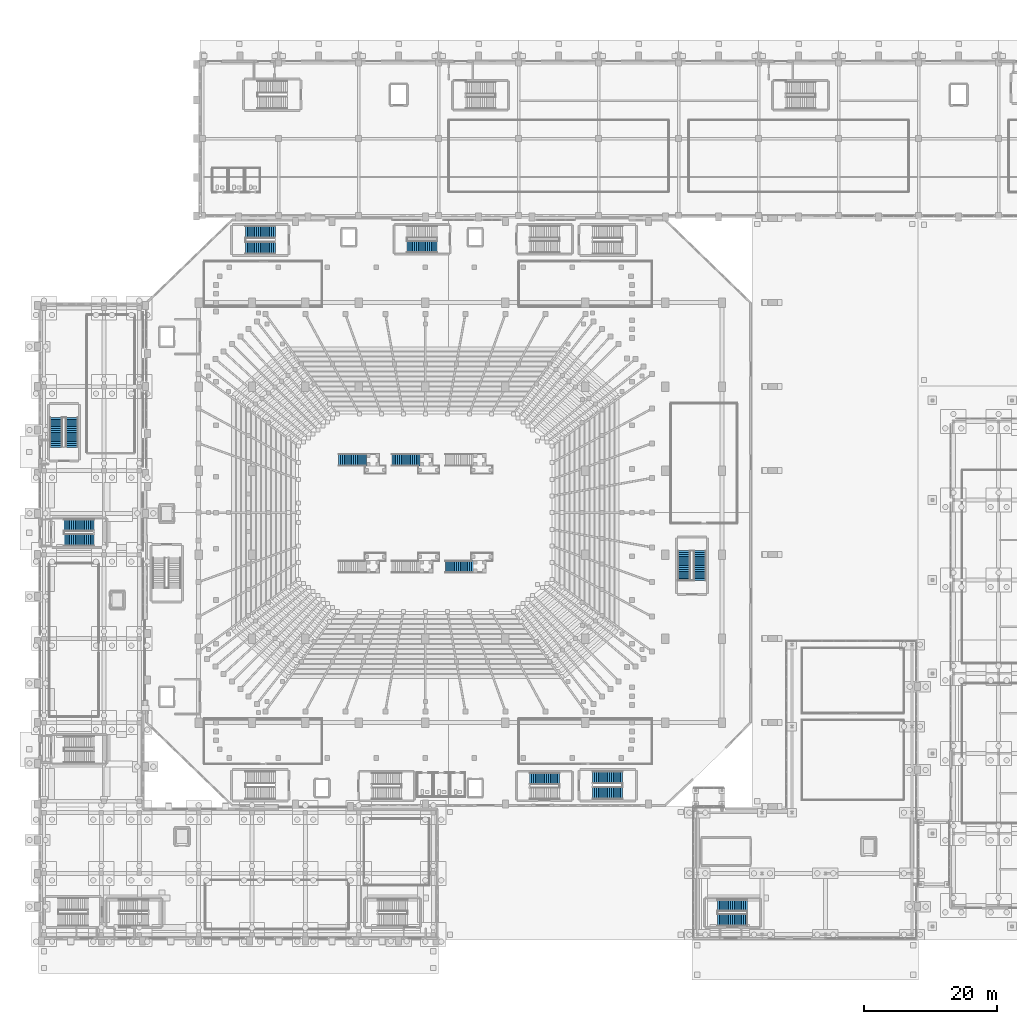
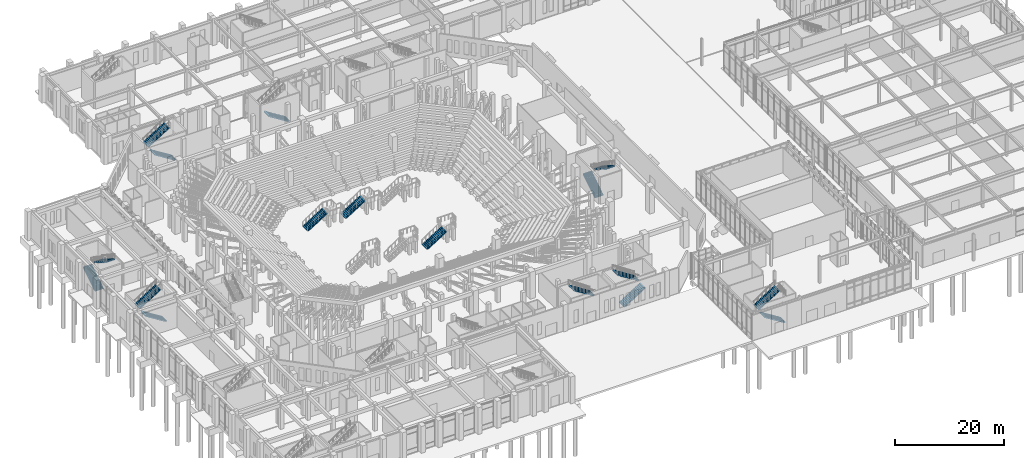
# One storey, part 123 of 143: 17 stair flights, 11 elements without a shape of their own.
"""IFC4 building model written with IfcOpenShell, lengths in metres."""

from ifc_helpers import new_model, si_unit, derived_unit, direction, frame, origin, place, context, subcontext, project, spatial, polyline, outline, extrude, material, type_object, element, aggregate, save


model = new_model("IFC4")

# Units and contexts
model_context = context("Model", 3, precision=1e-05, world=origin(), true_north=direction((0.0, 1.0)))
body_context = subcontext(model_context, "Body", "Model", "MODEL_VIEW")
ifc_project = project(units=[si_unit("LENGTHUNIT", "METRE"), si_unit("AREAUNIT", "SQUARE_METRE"), si_unit("VOLUMEUNIT", "CUBIC_METRE"), si_unit("PLANEANGLEUNIT", "RADIAN"), si_unit("MASSUNIT", "GRAM", prefix="KILO"), derived_unit("THERMALTRANSMITTANCEUNIT", [(si_unit("MASSUNIT", "GRAM", prefix="KILO"), 1), (si_unit("TIMEUNIT", "SECOND"), -3), (si_unit("THERMODYNAMICTEMPERATUREUNIT", "KELVIN"), -1)])], contexts=[model_context])

# Site, building, storey
site_placement = place(None, origin())
site = spatial("IfcSite", under=ifc_project, at=site_placement, CompositionType="ELEMENT")
building_placement = place(site_placement, origin())
building = spatial("IfcBuilding", under=site, at=building_placement, Name="Valcora Ridge Arena", CompositionType="ELEMENT")
storey_placement = place(building_placement, origin())
storey = spatial("IfcBuildingStorey", under=building, at=storey_placement, Name="L00", CompositionType="ELEMENT", Elevation=0.0)

# Stair, stair flight
ifc_material = material(Name="Concrete C40/50", Category="concrete")
stair_type_1 = type_object("IfcStairType", Name="TY-STAIR-ES02-60", PredefinedType="HALF_TURN_STAIR", material=ifc_material)
stair_1_placement = place(storey_placement, origin())
stair_1 = element("IfcStair", 1, at=stair_1_placement, inside=storey, type_object=stair_type_1, Name="ES02-60 STR-ES-0005", PredefinedType="HALF_TURN_STAIR")
stair_flight_type_1 = type_object("IfcStairFlightType", Name="TY-FLIGHT-ES02-60", PredefinedType="STRAIGHT", material=ifc_material)
stair_flight_1_placement = place(storey_placement, frame((78.139892578125, 24.219970703125, 3.0), z_axis=(0.0, 0.0, 1.0), x_axis=(-1.0, 0.0, 0.0)))
stair_flight_1 = element("IfcStairFlight", 2, at=stair_flight_1_placement, type_object=stair_flight_type_1, Name="ES02-60 flight 2", NumberOfRisers=17, NumberOfTreads=16, PredefinedType="STRAIGHT", RiserHeight=0.176471, TreadLength=0.28, context=body_context, shape_type="SweptSolid", body=[
    extrude(outline(polyline([(0.0, 0.0), (0.0, 0.176513671875), (0.280029296875, 0.176513671875), (0.280029296875, 0.35302734375), (0.56005859375, 0.35302734375), (0.56005859375, 0.529296875), (0.840087890625, 0.529296875), (0.840087890625, 0.705810546875), (1.1201171875, 0.705810546875), (1.1201171875, 0.88232421875), (1.39990234375, 0.88232421875), (1.39990234375, 1.058837890625), (1.679931640625, 1.058837890625), (1.679931640625, 1.2353515625), (1.9599609375, 1.2353515625), (1.9599609375, 1.411865234375), (2.239990234375, 1.411865234375), (2.239990234375, 1.588134765625), (2.52001953125, 1.588134765625), (2.52001953125, 1.7646484375), (2.800048828125, 1.7646484375), (2.800048828125, 1.941162109375), (3.080078125, 1.941162109375), (3.080078125, 2.11767578125), (3.360107421875, 2.11767578125), (3.360107421875, 2.294189453125), (3.639892578125, 2.294189453125), (3.639892578125, 2.470703125), (3.919921875, 2.470703125), (3.919921875, 2.64697265625), (4.199951171875, 2.64697265625), (4.199951171875, 2.823486328125), (4.47998046875, 2.823486328125), (4.47998046875, 3.0), (4.47998046875, 2.61083984375), (0.33740234375, 0.0), (0.0, 0.0)])), frame((0.0, 0.89990234375, 0.0), z_axis=(0.0, -1.0, 0.0), x_axis=(1.0, 0.0, 0.0)), (0.0, 0.0, 1.0), 1.800048828125),
])
aggregate(stair_1, [stair_flight_1])

stair_type_2 = type_object("IfcStairType", Name="TY-STAIR-ES03-60", PredefinedType="HALF_TURN_STAIR", material=ifc_material)
stair_2_placement = place(storey_placement, origin())
stair_2 = element("IfcStair", 3, at=stair_2_placement, inside=storey, type_object=stair_type_2, Name="ES03-60 STR-ES-0009", PredefinedType="HALF_TURN_STAIR")
stair_flight_type_2 = type_object("IfcStairFlightType", Name="TY-FLIGHT-ES03-60", PredefinedType="STRAIGHT", material=ifc_material)
stair_flight_2_placement = place(storey_placement, frame((59.739990234375, 103.97998046875, 0.0), z_axis=(0.0, 0.0, 1.0), x_axis=(-1.0, 0.0, 0.0)))
stair_flight_2 = element("IfcStairFlight", 4, at=stair_flight_2_placement, type_object=stair_flight_type_2, Name="ES03-60 flight 1", NumberOfRisers=17, NumberOfTreads=16, PredefinedType="STRAIGHT", RiserHeight=0.176471, TreadLength=0.28, context=body_context, shape_type="SweptSolid", body=[
    extrude(outline(polyline([(0.0, 0.0), (0.0, 0.176513671875), (0.280029296875, 0.176513671875), (0.280029296875, 0.35302734375), (0.56005859375, 0.35302734375), (0.56005859375, 0.529296875), (0.840087890625, 0.529296875), (0.840087890625, 0.705810546875), (1.1201171875, 0.705810546875), (1.1201171875, 0.88232421875), (1.39990234375, 0.88232421875), (1.39990234375, 1.058837890625), (1.679931640625, 1.058837890625), (1.679931640625, 1.2353515625), (1.9599609375, 1.2353515625), (1.9599609375, 1.411865234375), (2.239990234375, 1.411865234375), (2.239990234375, 1.588134765625), (2.52001953125, 1.588134765625), (2.52001953125, 1.7646484375), (2.800048828125, 1.7646484375), (2.800048828125, 1.941162109375), (3.080078125, 1.941162109375), (3.080078125, 2.11767578125), (3.360107421875, 2.11767578125), (3.360107421875, 2.294189453125), (3.639892578125, 2.294189453125), (3.639892578125, 2.470703125), (3.919921875, 2.470703125), (3.919921875, 2.64697265625), (4.199951171875, 2.64697265625), (4.199951171875, 2.823486328125), (4.47998046875, 2.823486328125), (4.47998046875, 3.0), (4.47998046875, 2.61083984375), (0.33740234375, 0.0), (0.0, 0.0)])), frame((0.0, 0.89990234375, 0.0), z_axis=(0.0, -1.0, 0.0), x_axis=(1.0, 0.0, 0.0)), (0.0, 0.0, 1.0), 1.800048828125),
])
aggregate(stair_2, [stair_flight_2])

# Stair, stair flights
stair_type_3 = type_object("IfcStairType", Name="TY-STAIR-ES08-60", PredefinedType="HALF_TURN_STAIR", material=ifc_material)
stair_3_placement = place(storey_placement, origin())
stair_3 = element("IfcStair", 5, at=stair_3_placement, inside=storey, type_object=stair_type_3, Name="ES08-60 STR-ES-0027", PredefinedType="HALF_TURN_STAIR")
stair_flight_type_3 = type_object("IfcStairFlightType", Name="TY-FLIGHT-ES08-60", PredefinedType="STRAIGHT", material=ifc_material)
stair_flight_3_placement = place(storey_placement, frame((8.300048828125, 59.97998046875, 0.0), z_axis=(0.0, 0.0, 1.0), x_axis=(-1.0, 0.0, 0.0)))
stair_flight_3 = element("IfcStairFlight", 6, at=stair_flight_3_placement, type_object=stair_flight_type_3, Name="ES08-60 flight 1", NumberOfRisers=17, NumberOfTreads=16, PredefinedType="STRAIGHT", RiserHeight=0.176471, TreadLength=0.28, context=body_context, shape_type="SweptSolid", body=[
    extrude(outline(polyline([(0.0, 0.0), (0.0, 0.176513671875), (0.280029296875, 0.176513671875), (0.280029296875, 0.35302734375), (0.56005859375, 0.35302734375), (0.56005859375, 0.529296875), (0.840087890625, 0.529296875), (0.840087890625, 0.705810546875), (1.1201171875, 0.705810546875), (1.1201171875, 0.88232421875), (1.39990234375, 0.88232421875), (1.39990234375, 1.058837890625), (1.679931640625, 1.058837890625), (1.679931640625, 1.2353515625), (1.9599609375, 1.2353515625), (1.9599609375, 1.411865234375), (2.239990234375, 1.411865234375), (2.239990234375, 1.588134765625), (2.52001953125, 1.588134765625), (2.52001953125, 1.7646484375), (2.800048828125, 1.7646484375), (2.800048828125, 1.941162109375), (3.080078125, 1.941162109375), (3.080078125, 2.11767578125), (3.360107421875, 2.11767578125), (3.360107421875, 2.294189453125), (3.639892578125, 2.294189453125), (3.639892578125, 2.470703125), (3.919921875, 2.470703125), (3.919921875, 2.64697265625), (4.199951171875, 2.64697265625), (4.199951171875, 2.823486328125), (4.47998046875, 2.823486328125), (4.47998046875, 3.0), (4.47998046875, 2.61083984375), (0.33740234375, 0.0), (0.0, 0.0)])), frame((0.0, 0.89990234375, 0.0), z_axis=(0.0, -1.0, 0.0), x_axis=(1.0, 0.0, 0.0)), (0.0, 0.0, 1.0), 1.800048828125),
])
stair_flight_4_placement = place(storey_placement, frame((3.820068359375, 62.219970703125, 3.0), z_axis=(0.0, 0.0, 1.0), x_axis=(1.0, 0.0, 0.0)))
stair_flight_4 = element("IfcStairFlight", 7, at=stair_flight_4_placement, type_object=stair_flight_type_3, Name="ES08-60 flight 2", NumberOfRisers=17, NumberOfTreads=16, PredefinedType="STRAIGHT", RiserHeight=0.176471, TreadLength=0.28, context=body_context, shape_type="SweptSolid", body=[
    extrude(outline(polyline([(0.0, 0.0), (0.0, 0.176513671875), (0.280029296875, 0.176513671875), (0.280029296875, 0.35302734375), (0.56005859375, 0.35302734375), (0.56005859375, 0.529296875), (0.840087890625, 0.529296875), (0.840087890625, 0.705810546875), (1.1201171875, 0.705810546875), (1.1201171875, 0.88232421875), (1.39990234375, 0.88232421875), (1.39990234375, 1.058837890625), (1.679931640625, 1.058837890625), (1.679931640625, 1.2353515625), (1.9599609375, 1.2353515625), (1.9599609375, 1.411865234375), (2.239990234375, 1.411865234375), (2.239990234375, 1.588134765625), (2.52001953125, 1.588134765625), (2.52001953125, 1.7646484375), (2.800048828125, 1.7646484375), (2.800048828125, 1.941162109375), (3.080078125, 1.941162109375), (3.080078125, 2.11767578125), (3.360107421875, 2.11767578125), (3.360107421875, 2.294189453125), (3.639892578125, 2.294189453125), (3.639892578125, 2.470703125), (3.919921875, 2.470703125), (3.919921875, 2.64697265625), (4.199951171875, 2.64697265625), (4.199951171875, 2.823486328125), (4.47998046875, 2.823486328125), (4.47998046875, 3.0), (4.47998046875, 2.61083984375), (0.33740234375, 0.0), (0.0, 0.0)])), frame((0.0, 0.89990234375, 0.0), z_axis=(0.0, -1.0, 0.0), x_axis=(1.0, 0.0, 0.0)), (0.0, 0.0, 1.0), 1.800048828125),
])
aggregate(stair_3, [stair_flight_3, stair_flight_4])

stair_type_4 = type_object("IfcStairType", Name="TY-STAIR-ES11-60", PredefinedType="HALF_TURN_STAIR", material=ifc_material)
stair_4_placement = place(storey_placement, origin())
stair_4 = element("IfcStair", 8, at=stair_4_placement, inside=storey, type_object=stair_type_4, Name="ES11-60 STR-ES-0036", PredefinedType="HALF_TURN_STAIR")
stair_flight_type_4 = type_object("IfcStairFlightType", Name="TY-FLIGHT-ES11-60", PredefinedType="STRAIGHT", material=ifc_material)
stair_flight_5_placement = place(storey_placement, frame((106.300048828125, 2.97998046875, 0.0), z_axis=(0.0, 0.0, 1.0), x_axis=(-1.0, 0.0, 0.0)))
stair_flight_5 = element("IfcStairFlight", 9, at=stair_flight_5_placement, type_object=stair_flight_type_4, Name="ES11-60 flight 1", NumberOfRisers=17, NumberOfTreads=16, PredefinedType="STRAIGHT", RiserHeight=0.176471, TreadLength=0.28, context=body_context, shape_type="SweptSolid", body=[
    extrude(outline(polyline([(0.0, 0.0), (0.0, 0.176513671875), (0.280029296875, 0.176513671875), (0.280029296875, 0.35302734375), (0.56005859375, 0.35302734375), (0.56005859375, 0.529296875), (0.840087890625, 0.529296875), (0.840087890625, 0.705810546875), (1.1201171875, 0.705810546875), (1.1201171875, 0.88232421875), (1.39990234375, 0.88232421875), (1.39990234375, 1.058837890625), (1.679931640625, 1.058837890625), (1.679931640625, 1.2353515625), (1.9599609375, 1.2353515625), (1.9599609375, 1.411865234375), (2.239990234375, 1.411865234375), (2.239990234375, 1.588134765625), (2.52001953125, 1.588134765625), (2.52001953125, 1.7646484375), (2.800048828125, 1.7646484375), (2.800048828125, 1.941162109375), (3.080078125, 1.941162109375), (3.080078125, 2.11767578125), (3.360107421875, 2.11767578125), (3.360107421875, 2.294189453125), (3.639892578125, 2.294189453125), (3.639892578125, 2.470703125), (3.919921875, 2.470703125), (3.919921875, 2.64697265625), (4.199951171875, 2.64697265625), (4.199951171875, 2.823486328125), (4.47998046875, 2.823486328125), (4.47998046875, 3.0), (4.47998046875, 2.61083984375), (0.33740234375, 0.0), (0.0, 0.0)])), frame((0.0, 0.89990234375, 0.0), z_axis=(0.0, -1.0, 0.0), x_axis=(1.0, 0.0, 0.0)), (0.0, 0.0, 1.0), 1.800048828125),
])
stair_flight_6_placement = place(storey_placement, frame((101.820068359375, 5.219970703125, 3.0), z_axis=(0.0, 0.0, 1.0), x_axis=(1.0, 0.0, 0.0)))
stair_flight_6 = element("IfcStairFlight", 10, at=stair_flight_6_placement, type_object=stair_flight_type_4, Name="ES11-60 flight 2", NumberOfRisers=17, NumberOfTreads=16, PredefinedType="STRAIGHT", RiserHeight=0.176471, TreadLength=0.28, context=body_context, shape_type="SweptSolid", body=[
    extrude(outline(polyline([(0.0, 0.0), (0.0, 0.176513671875), (0.280029296875, 0.176513671875), (0.280029296875, 0.35302734375), (0.56005859375, 0.35302734375), (0.56005859375, 0.529296875), (0.840087890625, 0.529296875), (0.840087890625, 0.705810546875), (1.1201171875, 0.705810546875), (1.1201171875, 0.88232421875), (1.39990234375, 0.88232421875), (1.39990234375, 1.058837890625), (1.679931640625, 1.058837890625), (1.679931640625, 1.2353515625), (1.9599609375, 1.2353515625), (1.9599609375, 1.411865234375), (2.239990234375, 1.411865234375), (2.239990234375, 1.588134765625), (2.52001953125, 1.588134765625), (2.52001953125, 1.7646484375), (2.800048828125, 1.7646484375), (2.800048828125, 1.941162109375), (3.080078125, 1.941162109375), (3.080078125, 2.11767578125), (3.360107421875, 2.11767578125), (3.360107421875, 2.294189453125), (3.639892578125, 2.294189453125), (3.639892578125, 2.470703125), (3.919921875, 2.470703125), (3.919921875, 2.64697265625), (4.199951171875, 2.64697265625), (4.199951171875, 2.823486328125), (4.47998046875, 2.823486328125), (4.47998046875, 3.0), (4.47998046875, 2.61083984375), (0.33740234375, 0.0), (0.0, 0.0)])), frame((0.0, 0.89990234375, 0.0), z_axis=(0.0, -1.0, 0.0), x_axis=(1.0, 0.0, 0.0)), (0.0, 0.0, 1.0), 1.800048828125),
])
aggregate(stair_4, [stair_flight_5, stair_flight_6])

stair_type_5 = type_object("IfcStairType", Name="TY-STAIR-ST02-60", PredefinedType="HALF_TURN_STAIR", material=ifc_material)
stair_5_placement = place(storey_placement, origin())
stair_5 = element("IfcStair", 11, at=stair_5_placement, inside=storey, type_object=stair_type_5, Name="ST02-60 STR-CR-0008", PredefinedType="HALF_TURN_STAIR")
stair_flight_type_5 = type_object("IfcStairFlightType", Name="TY-FLIGHT-ST02-60", PredefinedType="STRAIGHT", material=ifc_material)
stair_flight_7_placement = place(storey_placement, frame((83.110107421875, 22.0048828125, 0.0), z_axis=(0.0, 0.0, 1.0), x_axis=(1.0, 0.0, 0.0)))
stair_flight_7 = element("IfcStairFlight", 12, at=stair_flight_7_placement, type_object=stair_flight_type_5, Name="ST02-60 flight 1", NumberOfRisers=17, NumberOfTreads=16, PredefinedType="STRAIGHT", RiserHeight=0.176471, TreadLength=0.28, context=body_context, shape_type="SweptSolid", body=[
    extrude(outline(polyline([(0.0, 0.0), (0.0, 0.176513671875), (0.280029296875, 0.176513671875), (0.280029296875, 0.35302734375), (0.56005859375, 0.35302734375), (0.56005859375, 0.529296875), (0.840087890625, 0.529296875), (0.840087890625, 0.705810546875), (1.1201171875, 0.705810546875), (1.1201171875, 0.88232421875), (1.39990234375, 0.88232421875), (1.39990234375, 1.058837890625), (1.679931640625, 1.058837890625), (1.679931640625, 1.2353515625), (1.9599609375, 1.2353515625), (1.9599609375, 1.411865234375), (2.239990234375, 1.411865234375), (2.239990234375, 1.588134765625), (2.52001953125, 1.588134765625), (2.52001953125, 1.7646484375), (2.800048828125, 1.7646484375), (2.800048828125, 1.941162109375), (3.080078125, 1.941162109375), (3.080078125, 2.11767578125), (3.360107421875, 2.11767578125), (3.360107421875, 2.294189453125), (3.639892578125, 2.294189453125), (3.639892578125, 2.470703125), (3.919921875, 2.470703125), (3.919921875, 2.64697265625), (4.199951171875, 2.64697265625), (4.199951171875, 2.823486328125), (4.47998046875, 2.823486328125), (4.47998046875, 3.0), (4.47998046875, 2.61083984375), (0.33740234375, 0.0), (0.0, 0.0)])), frame((0.0, 0.925048828125, 0.0), z_axis=(0.0, -1.0, 0.0), x_axis=(1.0, 0.0, 0.0)), (0.0, 0.0, 1.0), 1.85009765625),
])
stair_flight_8_placement = place(storey_placement, frame((87.590087890625, 24.39501953125, 3.0), z_axis=(0.0, 0.0, 1.0), x_axis=(-1.0, 0.0, 0.0)))
stair_flight_8 = element("IfcStairFlight", 13, at=stair_flight_8_placement, type_object=stair_flight_type_5, Name="ST02-60 flight 2", NumberOfRisers=17, NumberOfTreads=16, PredefinedType="STRAIGHT", RiserHeight=0.176471, TreadLength=0.28, context=body_context, shape_type="SweptSolid", body=[
    extrude(outline(polyline([(0.0, 0.0), (0.0, 0.176513671875), (0.280029296875, 0.176513671875), (0.280029296875, 0.35302734375), (0.56005859375, 0.35302734375), (0.56005859375, 0.529296875), (0.840087890625, 0.529296875), (0.840087890625, 0.705810546875), (1.1201171875, 0.705810546875), (1.1201171875, 0.88232421875), (1.39990234375, 0.88232421875), (1.39990234375, 1.058837890625), (1.679931640625, 1.058837890625), (1.679931640625, 1.2353515625), (1.9599609375, 1.2353515625), (1.9599609375, 1.411865234375), (2.239990234375, 1.411865234375), (2.239990234375, 1.588134765625), (2.52001953125, 1.588134765625), (2.52001953125, 1.7646484375), (2.800048828125, 1.7646484375), (2.800048828125, 1.941162109375), (3.080078125, 1.941162109375), (3.080078125, 2.11767578125), (3.360107421875, 2.11767578125), (3.360107421875, 2.294189453125), (3.639892578125, 2.294189453125), (3.639892578125, 2.470703125), (3.919921875, 2.470703125), (3.919921875, 2.64697265625), (4.199951171875, 2.64697265625), (4.199951171875, 2.823486328125), (4.47998046875, 2.823486328125), (4.47998046875, 3.0), (4.47998046875, 2.61083984375), (0.33740234375, 0.0), (0.0, 0.0)])), frame((0.0, 0.925048828125, 0.0), z_axis=(0.0, -1.0, 0.0), x_axis=(1.0, 0.0, 0.0)), (0.0, 0.0, 1.0), 1.85009765625),
])
aggregate(stair_5, [stair_flight_7, stair_flight_8])

stair_type_6 = type_object("IfcStairType", Name="TY-STAIR-ST03-60", PredefinedType="HALF_TURN_STAIR", material=ifc_material)
stair_6_placement = place(storey_placement, origin())
stair_6 = element("IfcStair", 14, at=stair_6_placement, inside=storey, type_object=stair_type_6, Name="ST03-60 STR-CR-0013", PredefinedType="HALF_TURN_STAIR")
stair_flight_type_6 = type_object("IfcStairFlightType", Name="TY-FLIGHT-ST03-60", PredefinedType="STRAIGHT", material=ifc_material)
stair_flight_9_placement = place(storey_placement, frame((35.489990234375, 103.804931640625, 0.0), z_axis=(0.0, 0.0, 1.0), x_axis=(-1.0, 0.0, 0.0)))
stair_flight_9 = element("IfcStairFlight", 15, at=stair_flight_9_placement, type_object=stair_flight_type_6, Name="ST03-60 flight 1", NumberOfRisers=17, NumberOfTreads=16, PredefinedType="STRAIGHT", RiserHeight=0.176471, TreadLength=0.28, context=body_context, shape_type="SweptSolid", body=[
    extrude(outline(polyline([(0.0, 0.0), (0.0, 0.176513671875), (0.280029296875, 0.176513671875), (0.280029296875, 0.35302734375), (0.56005859375, 0.35302734375), (0.56005859375, 0.529296875), (0.840087890625, 0.529296875), (0.840087890625, 0.705810546875), (1.1201171875, 0.705810546875), (1.1201171875, 0.88232421875), (1.39990234375, 0.88232421875), (1.39990234375, 1.058837890625), (1.679931640625, 1.058837890625), (1.679931640625, 1.2353515625), (1.9599609375, 1.2353515625), (1.9599609375, 1.411865234375), (2.239990234375, 1.411865234375), (2.239990234375, 1.588134765625), (2.52001953125, 1.588134765625), (2.52001953125, 1.7646484375), (2.800048828125, 1.7646484375), (2.800048828125, 1.941162109375), (3.080078125, 1.941162109375), (3.080078125, 2.11767578125), (3.360107421875, 2.11767578125), (3.360107421875, 2.294189453125), (3.639892578125, 2.294189453125), (3.639892578125, 2.470703125), (3.919921875, 2.470703125), (3.919921875, 2.64697265625), (4.199951171875, 2.64697265625), (4.199951171875, 2.823486328125), (4.47998046875, 2.823486328125), (4.47998046875, 3.0), (4.47998046875, 2.61083984375), (0.33740234375, 0.0), (0.0, 0.0)])), frame((0.0, 0.925048828125, 0.0), z_axis=(0.0, -1.0, 0.0), x_axis=(1.0, 0.0, 0.0)), (0.0, 0.0, 1.0), 1.85009765625),
])
stair_flight_10_placement = place(storey_placement, frame((31.010009765625, 106.195068359375, 3.0), z_axis=(0.0, 0.0, 1.0), x_axis=(1.0, 0.0, 0.0)))
stair_flight_10 = element("IfcStairFlight", 16, at=stair_flight_10_placement, type_object=stair_flight_type_6, Name="ST03-60 flight 2", NumberOfRisers=17, NumberOfTreads=16, PredefinedType="STRAIGHT", RiserHeight=0.176471, TreadLength=0.28, context=body_context, shape_type="SweptSolid", body=[
    extrude(outline(polyline([(0.0, 0.0), (0.0, 0.176513671875), (0.280029296875, 0.176513671875), (0.280029296875, 0.35302734375), (0.56005859375, 0.35302734375), (0.56005859375, 0.529296875), (0.840087890625, 0.529296875), (0.840087890625, 0.705810546875), (1.1201171875, 0.705810546875), (1.1201171875, 0.88232421875), (1.39990234375, 0.88232421875), (1.39990234375, 1.058837890625), (1.679931640625, 1.058837890625), (1.679931640625, 1.2353515625), (1.9599609375, 1.2353515625), (1.9599609375, 1.411865234375), (2.239990234375, 1.411865234375), (2.239990234375, 1.588134765625), (2.52001953125, 1.588134765625), (2.52001953125, 1.7646484375), (2.800048828125, 1.7646484375), (2.800048828125, 1.941162109375), (3.080078125, 1.941162109375), (3.080078125, 2.11767578125), (3.360107421875, 2.11767578125), (3.360107421875, 2.294189453125), (3.639892578125, 2.294189453125), (3.639892578125, 2.470703125), (3.919921875, 2.470703125), (3.919921875, 2.64697265625), (4.199951171875, 2.64697265625), (4.199951171875, 2.823486328125), (4.47998046875, 2.823486328125), (4.47998046875, 3.0), (4.47998046875, 2.61083984375), (0.33740234375, 0.0), (0.0, 0.0)])), frame((0.0, 0.925048828125, 0.0), z_axis=(0.0, -1.0, 0.0), x_axis=(1.0, 0.0, 0.0)), (0.0, 0.0, 1.0), 1.85009765625),
])
aggregate(stair_6, [stair_flight_9, stair_flight_10])

stair_type_7 = type_object("IfcStairType", Name="TY-STAIR-ST06-60", PredefinedType="HALF_TURN_STAIR", material=ifc_material)
stair_7_placement = place(storey_placement, origin())
stair_7 = element("IfcStair", 17, at=stair_7_placement, inside=storey, type_object=stair_type_7, Name="ST06-60 STR-CR-0030", PredefinedType="HALF_TURN_STAIR")
stair_flight_type_7 = type_object("IfcStairFlightType", Name="TY-FLIGHT-ST06-60", PredefinedType="STRAIGHT", material=ifc_material)
stair_flight_11_placement = place(storey_placement, frame((96.804931640625, 53.909912109375, 0.0), z_axis=(0.0, 0.0, 1.0), x_axis=(0.0, 1.0, 0.0)))
stair_flight_11 = element("IfcStairFlight", 18, at=stair_flight_11_placement, type_object=stair_flight_type_7, Name="ST06-60 flight 1", NumberOfRisers=17, NumberOfTreads=16, PredefinedType="STRAIGHT", RiserHeight=0.176471, TreadLength=0.28, context=body_context, shape_type="SweptSolid", body=[
    extrude(outline(polyline([(0.0, 0.0), (0.0, 0.176513671875), (0.280029296875, 0.176513671875), (0.280029296875, 0.35302734375), (0.56005859375, 0.35302734375), (0.56005859375, 0.529296875), (0.840087890625, 0.529296875), (0.840087890625, 0.705810546875), (1.1201171875, 0.705810546875), (1.1201171875, 0.88232421875), (1.39990234375, 0.88232421875), (1.39990234375, 1.058837890625), (1.679931640625, 1.058837890625), (1.679931640625, 1.2353515625), (1.9599609375, 1.2353515625), (1.9599609375, 1.411865234375), (2.239990234375, 1.411865234375), (2.239990234375, 1.588134765625), (2.52001953125, 1.588134765625), (2.52001953125, 1.7646484375), (2.800048828125, 1.7646484375), (2.800048828125, 1.941162109375), (3.080078125, 1.941162109375), (3.080078125, 2.11767578125), (3.360107421875, 2.11767578125), (3.360107421875, 2.294189453125), (3.639892578125, 2.294189453125), (3.639892578125, 2.470703125), (3.919921875, 2.470703125), (3.919921875, 2.64697265625), (4.199951171875, 2.64697265625), (4.199951171875, 2.823486328125), (4.47998046875, 2.823486328125), (4.47998046875, 3.0), (4.47998046875, 2.61083984375), (0.33740234375, 0.0), (0.0, 0.0)])), frame((0.0, 0.925048828125, 0.0), z_axis=(0.0, -1.0, 0.0), x_axis=(1.0, 0.0, 0.0)), (0.0, 0.0, 1.0), 1.85009765625),
])
stair_flight_12_placement = place(storey_placement, frame((99.195068359375, 58.389892578125, 3.0), z_axis=(0.0, 0.0, 1.0), x_axis=(0.0, -1.0, 0.0)))
stair_flight_12 = element("IfcStairFlight", 19, at=stair_flight_12_placement, type_object=stair_flight_type_7, Name="ST06-60 flight 2", NumberOfRisers=17, NumberOfTreads=16, PredefinedType="STRAIGHT", RiserHeight=0.176471, TreadLength=0.28, context=body_context, shape_type="SweptSolid", body=[
    extrude(outline(polyline([(0.0, 0.0), (0.0, 0.176513671875), (0.280029296875, 0.176513671875), (0.280029296875, 0.35302734375), (0.56005859375, 0.35302734375), (0.56005859375, 0.529296875), (0.840087890625, 0.529296875), (0.840087890625, 0.705810546875), (1.1201171875, 0.705810546875), (1.1201171875, 0.88232421875), (1.39990234375, 0.88232421875), (1.39990234375, 1.058837890625), (1.679931640625, 1.058837890625), (1.679931640625, 1.2353515625), (1.9599609375, 1.2353515625), (1.9599609375, 1.411865234375), (2.239990234375, 1.411865234375), (2.239990234375, 1.588134765625), (2.52001953125, 1.588134765625), (2.52001953125, 1.7646484375), (2.800048828125, 1.7646484375), (2.800048828125, 1.941162109375), (3.080078125, 1.941162109375), (3.080078125, 2.11767578125), (3.360107421875, 2.11767578125), (3.360107421875, 2.294189453125), (3.639892578125, 2.294189453125), (3.639892578125, 2.470703125), (3.919921875, 2.470703125), (3.919921875, 2.64697265625), (4.199951171875, 2.64697265625), (4.199951171875, 2.823486328125), (4.47998046875, 2.823486328125), (4.47998046875, 3.0), (4.47998046875, 2.61083984375), (0.33740234375, 0.0), (0.0, 0.0)])), frame((0.0, 0.925048828125, 0.0), z_axis=(0.0, -1.0, 0.0), x_axis=(1.0, 0.0, 0.0)), (0.0, 0.0, 1.0), 1.85009765625),
])
aggregate(stair_7, [stair_flight_11, stair_flight_12])

stair_type_8 = type_object("IfcStairType", Name="TY-STAIR-ST08-60", PredefinedType="HALF_TURN_STAIR", material=ifc_material)
stair_8_placement = place(storey_placement, origin())
stair_8 = element("IfcStair", 20, at=stair_8_placement, inside=storey, type_object=stair_type_8, Name="ST08-60 STR-CR-0035", PredefinedType="HALF_TURN_STAIR")
stair_flight_type_8 = type_object("IfcStairFlightType", Name="TY-FLIGHT-ST08-60", PredefinedType="STRAIGHT", material=ifc_material)
stair_flight_13_placement = place(storey_placement, frame((2.60498046875, 73.909912109375, 0.0), z_axis=(0.0, 0.0, 1.0), x_axis=(0.0, 1.0, 0.0)))
stair_flight_13 = element("IfcStairFlight", 21, at=stair_flight_13_placement, type_object=stair_flight_type_8, Name="ST08-60 flight 1", NumberOfRisers=17, NumberOfTreads=16, PredefinedType="STRAIGHT", RiserHeight=0.176471, TreadLength=0.28, context=body_context, shape_type="SweptSolid", body=[
    extrude(outline(polyline([(0.0, 0.0), (0.0, 0.176513671875), (0.280029296875, 0.176513671875), (0.280029296875, 0.35302734375), (0.56005859375, 0.35302734375), (0.56005859375, 0.529296875), (0.840087890625, 0.529296875), (0.840087890625, 0.705810546875), (1.1201171875, 0.705810546875), (1.1201171875, 0.88232421875), (1.39990234375, 0.88232421875), (1.39990234375, 1.058837890625), (1.679931640625, 1.058837890625), (1.679931640625, 1.2353515625), (1.9599609375, 1.2353515625), (1.9599609375, 1.411865234375), (2.239990234375, 1.411865234375), (2.239990234375, 1.588134765625), (2.52001953125, 1.588134765625), (2.52001953125, 1.7646484375), (2.800048828125, 1.7646484375), (2.800048828125, 1.941162109375), (3.080078125, 1.941162109375), (3.080078125, 2.11767578125), (3.360107421875, 2.11767578125), (3.360107421875, 2.294189453125), (3.639892578125, 2.294189453125), (3.639892578125, 2.470703125), (3.919921875, 2.470703125), (3.919921875, 2.64697265625), (4.199951171875, 2.64697265625), (4.199951171875, 2.823486328125), (4.47998046875, 2.823486328125), (4.47998046875, 3.0), (4.47998046875, 2.61083984375), (0.33740234375, 0.0), (0.0, 0.0)])), frame((0.0, 0.925048828125, 0.0), z_axis=(0.0, -1.0, 0.0), x_axis=(1.0, 0.0, 0.0)), (0.0, 0.0, 1.0), 1.85009765625),
])
stair_flight_14_placement = place(storey_placement, frame((4.9951171875, 78.389892578125, 3.0), z_axis=(0.0, 0.0, 1.0), x_axis=(0.0, -1.0, 0.0)))
stair_flight_14 = element("IfcStairFlight", 22, at=stair_flight_14_placement, type_object=stair_flight_type_8, Name="ST08-60 flight 2", NumberOfRisers=17, NumberOfTreads=16, PredefinedType="STRAIGHT", RiserHeight=0.176471, TreadLength=0.28, context=body_context, shape_type="SweptSolid", body=[
    extrude(outline(polyline([(0.0, 0.0), (0.0, 0.176513671875), (0.280029296875, 0.176513671875), (0.280029296875, 0.35302734375), (0.56005859375, 0.35302734375), (0.56005859375, 0.529296875), (0.840087890625, 0.529296875), (0.840087890625, 0.705810546875), (1.1201171875, 0.705810546875), (1.1201171875, 0.88232421875), (1.39990234375, 0.88232421875), (1.39990234375, 1.058837890625), (1.679931640625, 1.058837890625), (1.679931640625, 1.2353515625), (1.9599609375, 1.2353515625), (1.9599609375, 1.411865234375), (2.239990234375, 1.411865234375), (2.239990234375, 1.588134765625), (2.52001953125, 1.588134765625), (2.52001953125, 1.7646484375), (2.800048828125, 1.7646484375), (2.800048828125, 1.941162109375), (3.080078125, 1.941162109375), (3.080078125, 2.11767578125), (3.360107421875, 2.11767578125), (3.360107421875, 2.294189453125), (3.639892578125, 2.294189453125), (3.639892578125, 2.470703125), (3.919921875, 2.470703125), (3.919921875, 2.64697265625), (4.199951171875, 2.64697265625), (4.199951171875, 2.823486328125), (4.47998046875, 2.823486328125), (4.47998046875, 3.0), (4.47998046875, 2.61083984375), (0.33740234375, 0.0), (0.0, 0.0)])), frame((0.0, 0.925048828125, 0.0), z_axis=(0.0, -1.0, 0.0), x_axis=(1.0, 0.0, 0.0)), (0.0, 0.0, 1.0), 1.85009765625),
])
aggregate(stair_8, [stair_flight_13, stair_flight_14])

# Stair, stair flight
stair_type_9 = type_object("IfcStairType", Name="TY-STAIR-VS-LOW-280", PredefinedType="STRAIGHT_RUN_STAIR", material=ifc_material)
stair_9_placement = place(storey_placement, origin())
stair_9 = element("IfcStair", 23, at=stair_9_placement, inside=storey, type_object=stair_type_9, Name="Vomitory Stair VS-ST3 (VS-LOW-280)", PredefinedType="STRAIGHT_RUN_STAIR")
stair_flight_type_9 = type_object("IfcStairFlightType", Name="TY-FLIGHT-VS-LOW", PredefinedType="STRAIGHT", material=ifc_material)
stair_flight_15_placement = place(storey_placement, frame((61.0, 56.0, 0.0), z_axis=(0.0, 0.0, 1.0), x_axis=(1.0, 0.0, 0.0)))
stair_flight_15 = element("IfcStairFlight", 24, at=stair_flight_15_placement, type_object=stair_flight_type_9, Name="Vomitory Stair Flight VS-ST3 (FL-VS-LOW)", NumberOfRisers=16, NumberOfTreads=15, PredefinedType="STRAIGHT", RiserHeight=0.175, TreadLength=0.28, context=body_context, shape_type="SweptSolid", body=[
    extrude(outline(polyline([(0.0, 0.0), (0.0, 0.175048828125), (0.280029296875, 0.175048828125), (0.280029296875, 0.35009765625), (0.56005859375, 0.35009765625), (0.56005859375, 0.52490234375), (0.840087890625, 0.52490234375), (0.840087890625, 0.699951171875), (1.1201171875, 0.699951171875), (1.1201171875, 0.875), (1.39990234375, 0.875), (1.39990234375, 1.050048828125), (1.679931640625, 1.050048828125), (1.679931640625, 1.22509765625), (1.9599609375, 1.22509765625), (1.9599609375, 1.39990234375), (2.239990234375, 1.39990234375), (2.239990234375, 1.574951171875), (2.52001953125, 1.574951171875), (2.52001953125, 1.75), (2.800048828125, 1.75), (2.800048828125, 1.925048828125), (3.080078125, 1.925048828125), (3.080078125, 2.10009765625), (3.360107421875, 2.10009765625), (3.360107421875, 2.27490234375), (3.639892578125, 2.27490234375), (3.639892578125, 2.449951171875), (3.919921875, 2.449951171875), (3.919921875, 2.625), (4.199951171875, 2.625), (4.199951171875, 2.800048828125), (4.199951171875, 2.412841796875), (0.339599609375, 0.0), (0.0, 0.0)])), frame((0.0, 0.89990234375, 0.0), z_axis=(0.0, -1.0, 0.0), x_axis=(1.0, 0.0, 0.0)), (0.0, 0.0, 1.0), 1.800048828125),
])
aggregate(stair_9, [stair_flight_15])

stair_10_placement = place(storey_placement, origin())
stair_10 = element("IfcStair", 25, at=stair_10_placement, inside=storey, type_object=stair_type_9, Name="Vomitory Stair VS-ST4 (VS-LOW-280)", PredefinedType="STRAIGHT_RUN_STAIR")
stair_flight_16_placement = place(storey_placement, frame((45.0, 72.0, 0.0), z_axis=(0.0, 0.0, 1.0), x_axis=(1.0, 0.0, 0.0)))
stair_flight_16 = element("IfcStairFlight", 26, at=stair_flight_16_placement, type_object=stair_flight_type_9, Name="Vomitory Stair Flight VS-ST4 (FL-VS-LOW)", NumberOfRisers=16, NumberOfTreads=15, PredefinedType="STRAIGHT", RiserHeight=0.175, TreadLength=0.28, context=body_context, shape_type="SweptSolid", body=[
    extrude(outline(polyline([(0.0, 0.0), (0.0, 0.175048828125), (0.280029296875, 0.175048828125), (0.280029296875, 0.35009765625), (0.56005859375, 0.35009765625), (0.56005859375, 0.52490234375), (0.840087890625, 0.52490234375), (0.840087890625, 0.699951171875), (1.1201171875, 0.699951171875), (1.1201171875, 0.875), (1.39990234375, 0.875), (1.39990234375, 1.050048828125), (1.679931640625, 1.050048828125), (1.679931640625, 1.22509765625), (1.9599609375, 1.22509765625), (1.9599609375, 1.39990234375), (2.239990234375, 1.39990234375), (2.239990234375, 1.574951171875), (2.52001953125, 1.574951171875), (2.52001953125, 1.75), (2.800048828125, 1.75), (2.800048828125, 1.925048828125), (3.080078125, 1.925048828125), (3.080078125, 2.10009765625), (3.360107421875, 2.10009765625), (3.360107421875, 2.27490234375), (3.639892578125, 2.27490234375), (3.639892578125, 2.449951171875), (3.919921875, 2.449951171875), (3.919921875, 2.625), (4.199951171875, 2.625), (4.199951171875, 2.800048828125), (4.199951171875, 2.412841796875), (0.339599609375, 0.0), (0.0, 0.0)])), frame((0.0, 0.89990234375, 0.0), z_axis=(0.0, -1.0, 0.0), x_axis=(1.0, 0.0, 0.0)), (0.0, 0.0, 1.0), 1.800048828125),
])
aggregate(stair_10, [stair_flight_16])

stair_11_placement = place(storey_placement, origin())
stair_11 = element("IfcStair", 27, at=stair_11_placement, inside=storey, type_object=stair_type_9, Name="Vomitory Stair VS-ST5 (VS-LOW-280)", PredefinedType="STRAIGHT_RUN_STAIR")
stair_flight_17_placement = place(storey_placement, frame((53.0, 72.0, 0.0), z_axis=(0.0, 0.0, 1.0), x_axis=(1.0, 0.0, 0.0)))
stair_flight_17 = element("IfcStairFlight", 28, at=stair_flight_17_placement, type_object=stair_flight_type_9, Name="Vomitory Stair Flight VS-ST5 (FL-VS-LOW)", NumberOfRisers=16, NumberOfTreads=15, PredefinedType="STRAIGHT", RiserHeight=0.175, TreadLength=0.28, context=body_context, shape_type="SweptSolid", body=[
    extrude(outline(polyline([(0.0, 0.0), (0.0, 0.175048828125), (0.280029296875, 0.175048828125), (0.280029296875, 0.35009765625), (0.56005859375, 0.35009765625), (0.56005859375, 0.52490234375), (0.840087890625, 0.52490234375), (0.840087890625, 0.699951171875), (1.1201171875, 0.699951171875), (1.1201171875, 0.875), (1.39990234375, 0.875), (1.39990234375, 1.050048828125), (1.679931640625, 1.050048828125), (1.679931640625, 1.22509765625), (1.9599609375, 1.22509765625), (1.9599609375, 1.39990234375), (2.239990234375, 1.39990234375), (2.239990234375, 1.574951171875), (2.52001953125, 1.574951171875), (2.52001953125, 1.75), (2.800048828125, 1.75), (2.800048828125, 1.925048828125), (3.080078125, 1.925048828125), (3.080078125, 2.10009765625), (3.360107421875, 2.10009765625), (3.360107421875, 2.27490234375), (3.639892578125, 2.27490234375), (3.639892578125, 2.449951171875), (3.919921875, 2.449951171875), (3.919921875, 2.625), (4.199951171875, 2.625), (4.199951171875, 2.800048828125), (4.199951171875, 2.412841796875), (0.339599609375, 0.0), (0.0, 0.0)])), frame((0.0, 0.89990234375, 0.0), z_axis=(0.0, -1.0, 0.0), x_axis=(1.0, 0.0, 0.0)), (0.0, 0.0, 1.0), 1.800048828125),
])
aggregate(stair_11, [stair_flight_17])

save(model, "model.ifc")
